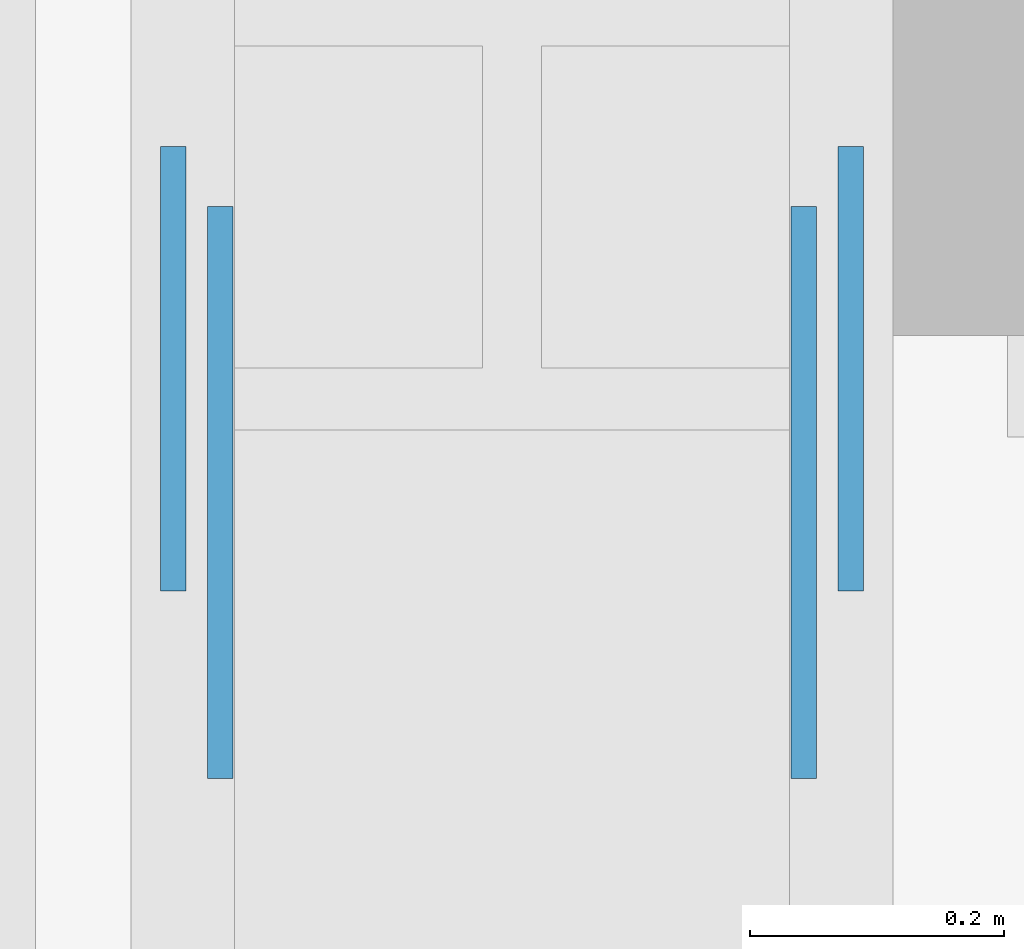
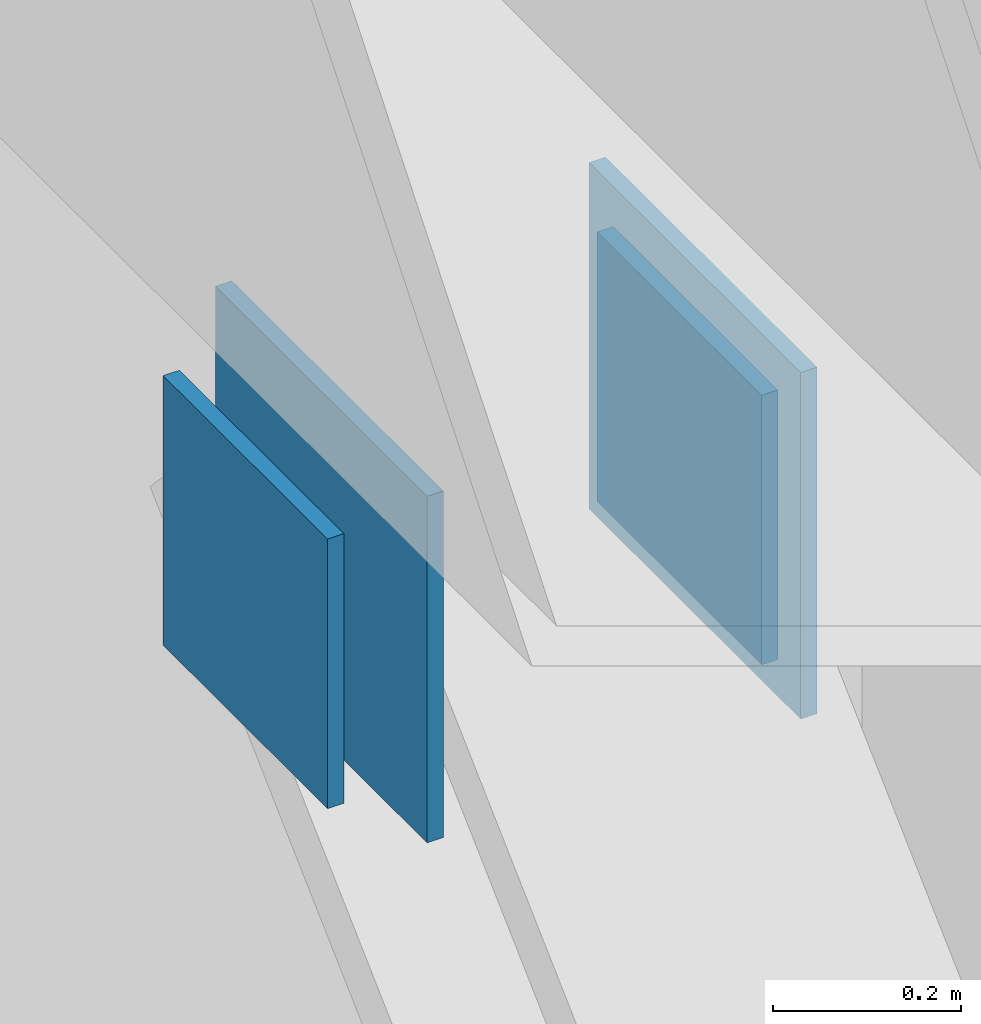
# One storey, part 17 of 21: 4 discrete accessories.
"""IFC4 building model written with IfcOpenShell, lengths in metres."""

from ifc_helpers import new_model, si_unit, direction, frame, origin, origin_2d, place, context, subcontext, project, spatial, rectangle, extrude, element, save


model = new_model("IFC4")

# Units and contexts
model_context = context("Model", 3, precision=1e-05, world=origin(), true_north=direction((0.0, 1.0)))
body_context = subcontext(model_context, "Body", "Model", "MODEL_VIEW")
ifc_project = project(units=[si_unit("LENGTHUNIT", "METRE"), si_unit("AREAUNIT", "SQUARE_METRE"), si_unit("VOLUMEUNIT", "CUBIC_METRE"), si_unit("PLANEANGLEUNIT", "RADIAN"), si_unit("MASSUNIT", "GRAM", prefix="KILO")], contexts=[model_context])

# Site, building, storey
site_placement = place(None, origin())
site = spatial("IfcSite", under=ifc_project, at=site_placement, CompositionType="ELEMENT")
building_placement = place(site_placement, origin())
building = spatial("IfcBuilding", under=site, at=building_placement, Name="Vidyagriha Tower", CompositionType="ELEMENT")
storey_placement = place(building_placement, frame((0.0, 0.0, 203.699951171875)))
storey = spatial("IfcBuildingStorey", under=building, at=storey_placement, Name="L52", CompositionType="ELEMENT", Elevation=203.699951171875)

# Discrete accessories
for number, where, z_axis, x_axis, name in (
    (1, (-29.7294921875, 14.076171875, 2.3701171875), (0.0, 0.0, 1.0), (0.0, 1.0, 0.0), "Truss gusset plate ASTM A572 Grade 50 20mm"),
    (2, (-29.2705078125, 14.076171875, 2.3701171875), (0.0, 0.0, 1.0), (0.0, 1.0, 0.0), "Truss gusset plate ASTM A572 Grade 50 20mm"),
):
    element("IfcDiscreteAccessory", number, at=place(storey_placement, frame(where, z_axis=z_axis, x_axis=x_axis)), inside=storey, Name=name, ObjectType="GUSSET PLATE", PredefinedType="USERDEFINED", context=body_context, shape_type="SweptSolid", body=[
        extrude(rectangle(XDim=0.449951171875, YDim=0.02001953125, at=origin_2d()), origin(), (0.0, 0.0, 1.0), 0.449951171875),
    ])
for number, where, z_axis, x_axis, name in (
    (3, (-29.7666015625, 14.173583984375, 2.338134765625), (0.0, 0.0, 1.0), (0.0, 1.0, 0.0), "End plate ASTM A572 Grade 50 20mm"),
    (4, (-29.2333984375, 14.173583984375, 2.338134765625), (0.0, 0.0, 1.0), (0.0, 1.0, 0.0), "End plate ASTM A572 Grade 50 20mm"),
):
    element("IfcDiscreteAccessory", number, at=place(storey_placement, frame(where, z_axis=z_axis, x_axis=x_axis)), inside=storey, Name=name, ObjectType="END PLATE", PredefinedType="USERDEFINED", context=body_context, shape_type="SweptSolid", body=[
        extrude(rectangle(XDim=0.35009765625, YDim=0.02001953125, at=origin_2d()), origin(), (0.0, 0.0, 1.0), 0.35009765625),
    ])

save(model, "model.ifc")
